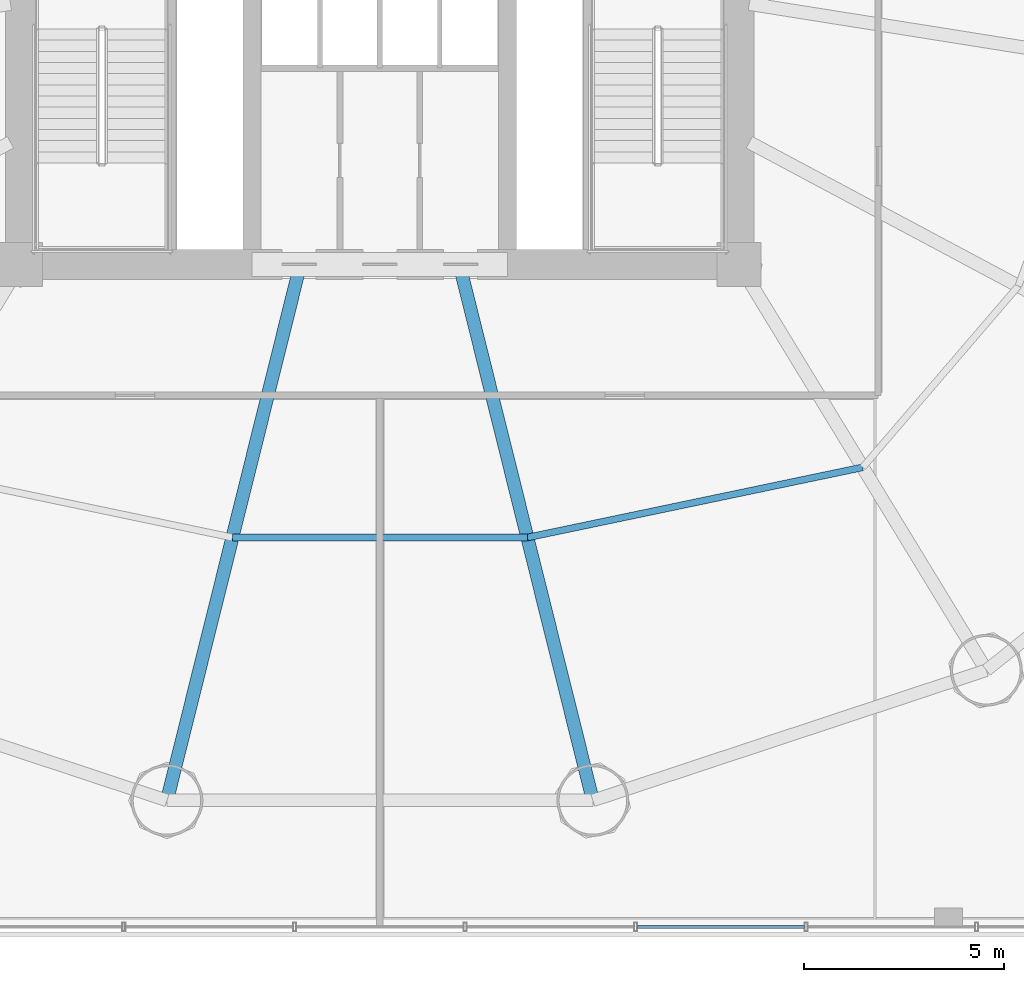
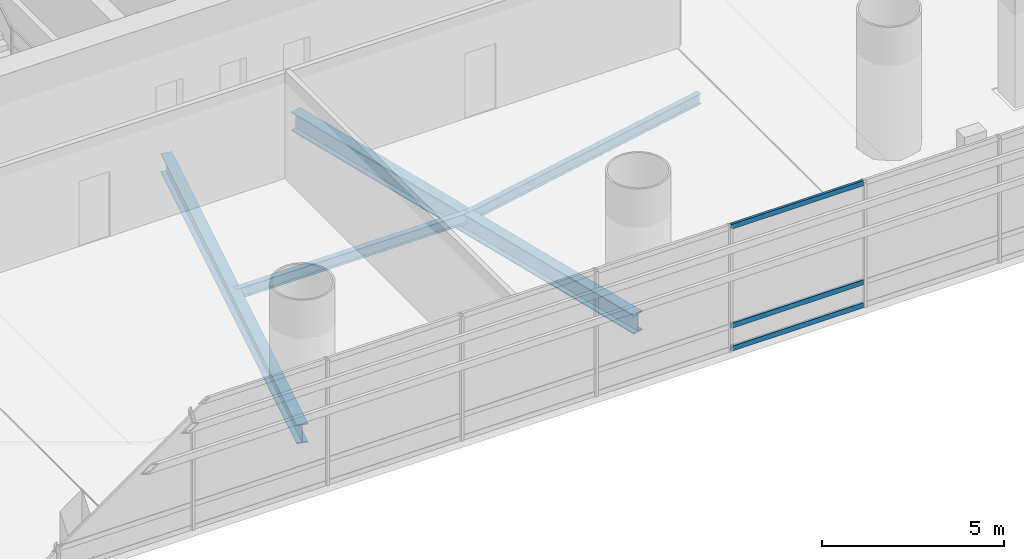
# One storey, part 7 of 36: 4 beams, 3 members, 1 element without a shape of its own.
"""IFC4 building model written with IfcOpenShell, lengths in metres."""

import ifcopenshell
import ifcopenshell.guid

model = None  # the IFC model being written
_history = None  # IfcOwnerHistory: only IFC2X3 demands one
_inside = {}  # id of a spatial element -> (the spatial element, [elements in it])
_under = {}  # id of a project, library or spatial element -> (it, [spatial elements below it])
_declared = {}  # id of a project -> (the project, [libraries it declares])
_typed = {}  # id of a type object -> (the type object, [elements of that type])
_made_of = {}  # id of a material, layer set ... -> (it, [elements and type objects made of it])


def new_model(schema):
    """Start an empty IFC model of exactly this schema.

    Asked for "IFC4X3", IfcOpenShell would pick the latest addendum, in which some entities
    have other attributes; the version numbers below select the first issue.
    IFC2X3 requires an IfcOwnerHistory on every rooted entity: one is made here for all.
    """
    global model, _history
    if schema == "IFC4X3":
        model = ifcopenshell.file(schema_version=(4, 3, 0, 0))
    else:
        model = ifcopenshell.file(schema=schema)
    _inside.clear()
    _under.clear()
    _declared.clear()
    _typed.clear()
    _made_of.clear()
    _history = None
    if model.schema == "IFC2X3":
        org = make("IfcOrganization", Name="unknown")
        user = make(
            "IfcPersonAndOrganization",
            ThePerson=make("IfcPerson", FamilyName="unknown"),
            TheOrganization=org,
        )
        app = make(
            "IfcApplication",
            ApplicationDeveloper=org,
            Version="unknown",
            ApplicationFullName="unknown",
            ApplicationIdentifier="unknown",
        )
        _history = make(
            "IfcOwnerHistory",
            OwningUser=user,
            OwningApplication=app,
            ChangeAction="ADDED",
            CreationDate=0,
        )
    return model


def make(cls, **values):
    """One entity of the class cls with the attributes given. An attribute that is None is left unset."""
    return model.create_entity(
        cls, **{name: value for name, value in values.items() if value is not None}
    )


def rooted(cls, **values):
    """An entity with a GlobalId (a new one), such as an element, a storey or a relation."""
    return make(cls, GlobalId=ifcopenshell.guid.new(), OwnerHistory=_history, **values)


def si_unit(unit_type, name, prefix=None):
    """IfcSIUnit, for example si_unit("LENGTHUNIT", "METRE", prefix="MILLI")."""
    return make("IfcSIUnit", UnitType=unit_type, Prefix=prefix, Name=name)


def assignment(units):
    """IfcUnitAssignment: the units of a project."""
    return None if units is None else make("IfcUnitAssignment", Units=units)


def point(xyz):
    """IfcCartesianPoint."""
    return None if xyz is None else make("IfcCartesianPoint", Coordinates=xyz)


def direction(xyz):
    """IfcDirection."""
    return None if xyz is None else make("IfcDirection", DirectionRatios=xyz)


def frame(location, z_axis=None, x_axis=None):
    """IfcAxis2Placement3D, a coordinate frame: its origin and axes. An axis left out is left unset."""
    return make(
        "IfcAxis2Placement3D",
        Location=point(location),
        Axis=direction(z_axis),
        RefDirection=direction(x_axis),
    )


def frame_2d(location, x_axis=None):
    """IfcAxis2Placement2D, a coordinate frame in the plane: its origin and x axis."""
    return make(
        "IfcAxis2Placement2D", Location=point(location), RefDirection=direction(x_axis)
    )


def origin():
    """The frame at (0, 0, 0) with its axes left unset."""
    return frame((0.0, 0.0, 0.0))


def origin_2d():
    """The frame at (0, 0) in the plane with its x axis left unset."""
    return frame_2d((0.0, 0.0))


def place(relative_to, where):
    """IfcLocalPlacement: puts the frame where relative to a parent placement (None: the world)."""
    return make(
        "IfcLocalPlacement", PlacementRelTo=relative_to, RelativePlacement=where
    )


def context(
    kind, dimensions, precision=None, world=None, true_north=None, identifier=None
):
    """IfcGeometricRepresentationContext, for example the 3D "Model" context."""
    return make(
        "IfcGeometricRepresentationContext",
        ContextIdentifier=identifier,
        ContextType=kind,
        CoordinateSpaceDimension=dimensions,
        Precision=precision,
        WorldCoordinateSystem=world,
        TrueNorth=true_north,
    )


def subcontext(parent, identifier, kind, view, scale=None):
    """IfcGeometricRepresentationSubContext, for example "Body" below "Model"."""
    return make(
        "IfcGeometricRepresentationSubContext",
        ContextIdentifier=identifier,
        ContextType=kind,
        ParentContext=parent,
        TargetScale=scale,
        TargetView=view,
    )


def project(units=None, contexts=None):
    """IfcProject with its units and contexts."""
    return rooted(
        "IfcProject",
        Name="project",
        RepresentationContexts=contexts,
        UnitsInContext=assignment(units),
    )


def spatial(cls, under=None, at=None, **own):
    """A site, building, storey or space (cls), placed at a placement, below another one or the project."""
    s = rooted(cls, ObjectPlacement=at, **own)
    if under is not None:
        _under.setdefault(under.id(), (under, []))[1].append(s)
    return s


def profile(cls, at=None, kind="AREA", **sizes):
    """A parametric profile (cls). Its sizes go by their IFC names, for example OverallWidth=200.0."""
    return make(cls, ProfileType=kind, Position=at, **sizes)


def hollow_rectangle(**sizes):
    """IfcRectangleHollowProfileDef."""
    return profile("IfcRectangleHollowProfileDef", **sizes)


def i_section(**sizes):
    """IfcIShapeProfileDef."""
    return profile("IfcIShapeProfileDef", **sizes)


def extrude(swept, where, along, depth):
    """IfcExtrudedAreaSolid: the profile swept, set in the frame where, extruded along a direction by depth."""
    return make(
        "IfcExtrudedAreaSolid",
        SweptArea=swept,
        Position=where,
        ExtrudedDirection=direction(along),
        Depth=depth,
    )


def shape(context_of_items, identifier, shape_type, items):
    """IfcShapeRepresentation: the items that make up one representation, for example the "Body"."""
    return make(
        "IfcShapeRepresentation",
        ContextOfItems=context_of_items,
        RepresentationIdentifier=identifier,
        RepresentationType=shape_type,
        Items=items,
    )


def source(mapping_origin, context_of_items, identifier, shape_type, items):
    """IfcRepresentationMap: a shape defined once, which mapped items show again and again."""
    return make(
        "IfcRepresentationMap",
        MappingOrigin=mapping_origin,
        MappedRepresentation=shape(context_of_items, identifier, shape_type, items),
    )


def transform(
    local_origin,
    x_axis=None,
    y_axis=None,
    z_axis=None,
    scale=None,
    scale2=None,
    scale3=None,
    uniform=True,
):
    """IfcCartesianTransformationOperator3D, or its non-uniform kind. x_axis, y_axis, z_axis: its Axis1, 2, 3."""
    if uniform:
        return make(
            "IfcCartesianTransformationOperator3D",
            Axis1=direction(x_axis),
            Axis2=direction(y_axis),
            LocalOrigin=point(local_origin),
            Scale=scale,
            Axis3=direction(z_axis),
        )
    return make(
        "IfcCartesianTransformationOperator3DnonUniform",
        Axis1=direction(x_axis),
        Axis2=direction(y_axis),
        LocalOrigin=point(local_origin),
        Scale=scale,
        Axis3=direction(z_axis),
        Scale2=scale2,
        Scale3=scale3,
    )


def mapped(mapping_source, mapping_target):
    """IfcMappedItem: shows the shape of a source again, moved by a transform."""
    return make(
        "IfcMappedItem", MappingSource=mapping_source, MappingTarget=mapping_target
    )


def material(Name=None, Category=None):
    """IfcMaterial."""
    return make("IfcMaterial", Name=Name, Category=Category)


def material_profile(
    of_material, cross_section, Name=None, Category=None, Priority=None
):
    """IfcMaterialProfile: a cross section and its material."""
    return make(
        "IfcMaterialProfile",
        Name=Name,
        Material=of_material,
        Profile=cross_section,
        Priority=Priority,
        Category=Category,
    )


def profile_set(profiles, Name=None, composite=None):
    """IfcMaterialProfileSet."""
    return make(
        "IfcMaterialProfileSet",
        Name=Name,
        MaterialProfiles=profiles,
        CompositeProfile=composite,
    )


def made_of(thing, what):
    """Note that an element or type object is made of a material, layer set ...; save() writes the relation."""
    if what is not None:
        _made_of.setdefault(what.id(), (what, []))[1].append(thing)
    return thing


def type_object(cls, material=None, **own):
    """A type object (cls), such as IfcWallType, which elements share."""
    return made_of(rooted(cls, **own), material)


def element(
    cls,
    number,
    at=None,
    inside=None,
    cuts=None,
    type_object=None,
    material=None,
    context=None,
    identifier="Body",
    shape_type=None,
    held_by="IfcProductDefinitionShape",
    body=None,
    shapes=None,
    **own,
):
    """One element of the class cls, such as IfcWall. Its Tag is "e" and its number.

    at: its placement. inside: the storey or other place that contains it. cuts: it is an
    opening in that element (IfcRelVoidsElement). A single representation is given by context,
    identifier, shape_type and body (its items); several are given by shapes. held_by: the class
    of the entity that holds the representations. save() writes the other relations.
    """
    e = rooted(cls, Tag="e%d" % number, ObjectPlacement=at, **own)
    if body is not None:
        shapes = [shape(context, identifier, shape_type, body)]
    if shapes is not None:
        e.Representation = make(held_by, Representations=shapes)
    if inside is not None:
        _inside.setdefault(inside.id(), (inside, []))[1].append(e)
    if cuts is not None:
        rooted(
            "IfcRelVoidsElement", RelatingBuildingElement=cuts, RelatedOpeningElement=e
        )
    if type_object is not None:
        _typed.setdefault(type_object.id(), (type_object, []))[1].append(e)
    return made_of(e, material)


def aggregate(whole, parts):
    """IfcRelAggregates: a whole, such as a stair, and the parts it consists of."""
    return rooted("IfcRelAggregates", RelatingObject=whole, RelatedObjects=parts)


def save(model, path):
    """Write the relations noted so far, then the file.

    IfcRelAggregates (storeys below a building ...), IfcRelContainedInSpatialStructure (elements
    in a storey), IfcRelDefinesByType, IfcRelAssociatesMaterial and IfcRelDeclares: one each for
    every whole, place, type object, material and project.
    """
    for whole, parts in _under.values():
        aggregate(whole, parts)
    for where, things in _inside.values():
        rooted(
            "IfcRelContainedInSpatialStructure",
            RelatedElements=things,
            RelatingStructure=where,
        )
    for kind, things in _typed.values():
        rooted("IfcRelDefinesByType", RelatedObjects=things, RelatingType=kind)
    for what, things in _made_of.values():
        rooted("IfcRelAssociatesMaterial", RelatedObjects=things, RelatingMaterial=what)
    for by, libraries in _declared.values():
        rooted("IfcRelDeclares", RelatingContext=by, RelatedDefinitions=libraries)
    model.write(path)


model = new_model("IFC4")

# Units and contexts
model_context = context("Model", 3, precision=1e-05, world=origin(), true_north=direction((-0.2419218956, 0.970295726276)))
body_context = subcontext(model_context, "Body", "Model", "MODEL_VIEW")
ifc_project = project(units=[si_unit("LENGTHUNIT", "METRE"), si_unit("AREAUNIT", "SQUARE_METRE"), si_unit("VOLUMEUNIT", "CUBIC_METRE"), si_unit("PLANEANGLEUNIT", "RADIAN"), si_unit("MASSUNIT", "GRAM", prefix="KILO")], contexts=[model_context])

# Site, building, storey
site_placement = place(None, origin())
site = spatial("IfcSite", under=ifc_project, at=site_placement, CompositionType="ELEMENT")
building_placement = place(site_placement, origin())
building = spatial("IfcBuilding", under=site, at=building_placement, Name="Cobrevalo Terracotta Tower", CompositionType="ELEMENT")
storey_placement = place(building_placement, frame((0.0, 0.0, 9.89990234375)))
storey = spatial("IfcBuildingStorey", under=building, at=storey_placement, Name="L02", CompositionType="ELEMENT", Elevation=9.89990234375)

# Beams
ifc_material_1 = material(Name="Steel S355", Category="steel")
ifc_material_profile_1 = material_profile(ifc_material_1, i_section(OverallWidth=0.3291015625, OverallDepth=0.635009765625, WebThickness=0.017822265625, FlangeThickness=0.031005859375, at=origin_2d()), Name="W 610x241")
ifc_profile_set_1 = profile_set([ifc_material_profile_1], Name="Steel S355")
beam_type_1 = type_object("IfcBeamType", Name="Structural Beam W 610x241 (Steel S355)", PredefinedType="BEAM", material=ifc_profile_set_1)
for number, where, z_axis, x_axis, name in (
    (1, (32.664306640625, 5.369873046875, -0.617431640625), (0.241600470374, 0.970375810042, 0.0), (-0.970375810042, 0.241600470374, 0.0), "L02 radial floor girder 12"),
    (2, (43.335693359375, 5.369873046875, -0.617431640625), (-0.241600470374, 0.970375810042, 0.0), (-0.970375810042, -0.241600470374, 0.0), "L02 radial floor girder 13"),
):
    element("IfcBeam", number, at=place(storey_placement, frame(where, z_axis=z_axis, x_axis=x_axis)), inside=storey, type_object=beam_type_1, Name=name, PredefinedType="BEAM", context=body_context, shape_type="SweptSolid", body=[
        extrude(i_section(OverallWidth=0.3291015625, OverallDepth=0.635009765625, WebThickness=0.017822265625, FlangeThickness=0.031005859375, at=origin_2d()), origin(), (0.0, 0.0, 1.0), 13.5771484375),
    ])
ifc_material_profile_2 = material_profile(ifc_material_1, i_section(OverallWidth=0.1708984375, OverallDepth=0.35498046875, WebThickness=0.007080078125, FlangeThickness=0.01171875, at=origin_2d()), Name="W 360x51")
ifc_profile_set_2 = profile_set([ifc_material_profile_2], Name="Steel S355")
beam_type_2 = type_object("IfcBeamType", Name="Structural Joist W 360x51 (Steel S355)", PredefinedType="JOIST", material=ifc_profile_set_2)
beam_1_placement = place(storey_placement, frame((34.304443359375, 11.95751953125, -0.477294921875), z_axis=(1.0, 0.0, 0.0), x_axis=(0.0, 1.0, 0.0)))
element("IfcBeam", 3, at=beam_1_placement, inside=storey, type_object=beam_type_2, Name="L02 circumferential secondary floor joist 12", PredefinedType="JOIST", context=body_context, shape_type="SweptSolid", body=[
    extrude(i_section(OverallWidth=0.1708984375, OverallDepth=0.35498046875, WebThickness=0.007080078125, FlangeThickness=0.01171875, at=origin_2d()), origin(), (0.0, 0.0, 1.0), 7.39111328125),
])
beam_2_placement = place(storey_placement, frame((41.695556640625, 11.95751953125, -0.477294921875), z_axis=(0.978784523904, 0.204892302848, 0.0), x_axis=(-0.204892302848, 0.978784523904, 0.0)))
element("IfcBeam", 4, at=beam_2_placement, inside=storey, type_object=beam_type_2, Name="L02 circumferential secondary floor joist 13", PredefinedType="JOIST", context=body_context, shape_type="SweptSolid", body=[
    extrude(i_section(OverallWidth=0.1708984375, OverallDepth=0.35498046875, WebThickness=0.007080078125, FlangeThickness=0.01171875, at=origin_2d()), origin(), (0.0, 0.0, 1.0), 8.583984375),
])

# Curtain wall, members
ifc_material_2 = material(Name="Anodized aluminium", Category="aluminium")
curtain_wall_type = type_object("IfcCurtainWallType", Name="Podium gallery & conservatory curtain wall CW-S2", PredefinedType="NOTDEFINED", material=ifc_material_2)
curtain_wall_placement = place(storey_placement, origin())
curtain_wall = element("IfcCurtainWall", 5, at=curtain_wall_placement, inside=storey, type_object=curtain_wall_type, Name="L02 curtain wall CW-POD-L02-S", PredefinedType="NOTDEFINED")
ifc_material_profile_3 = material_profile(ifc_material_2, hollow_rectangle(XDim=0.080078125, YDim=0.1650390625, WallThickness=0.00439453125, at=origin_2d()), Name="CWT 80x165")
ifc_profile_set_3 = profile_set([ifc_material_profile_3], Name="Anodized aluminium")
member_type = type_object("IfcMemberType", Name="Storefront & atrium aluminium transom 80x165", PredefinedType="USERDEFINED", material=ifc_profile_set_3)
shared_shape = source(origin(), body_context, "Body", "SweptSolid", [
    extrude(hollow_rectangle(XDim=0.080078125, YDim=0.1650390625, WallThickness=0.00439453125, at=origin_2d()), origin(), (0.0, 0.0, 1.0), 4.193359375),
])
member_1_placement = place(storey_placement, frame((44.449951171875, 2.199951171875, 0.050048828125), z_axis=(1.0, 0.0, 0.0), x_axis=(0.0, 1.0, 0.0)))
member_1 = element("IfcMember", 6, at=member_1_placement, type_object=member_type, Name="CW-POD-L02-S transom B10-T1", ObjectType="TRANSOM", PredefinedType="USERDEFINED", context=body_context, shape_type="MappedRepresentation", body=[
    mapped(shared_shape, transform((0.0, 0.0, 0.0), scale=1.0)),
])
member_2_placement = place(storey_placement, frame((44.449951171875, 2.199951171875, 0.820068359375), z_axis=(1.0, 0.0, 0.0), x_axis=(0.0, 1.0, 0.0)))
member_2 = element("IfcMember", 7, at=member_2_placement, type_object=member_type, Name="CW-POD-L02-S transom B10-T2", ObjectType="TRANSOM", PredefinedType="USERDEFINED", context=body_context, shape_type="MappedRepresentation", body=[
    mapped(shared_shape, transform((0.0, 0.0, 0.0), scale=1.0)),
])
member_3_placement = place(storey_placement, frame((44.449951171875, 2.199951171875, 4.150146484375), z_axis=(1.0, 0.0, 0.0), x_axis=(0.0, 1.0, 0.0)))
member_3 = element("IfcMember", 8, at=member_3_placement, type_object=member_type, Name="CW-POD-L02-S transom B10-T3", ObjectType="TRANSOM", PredefinedType="USERDEFINED", context=body_context, shape_type="MappedRepresentation", body=[
    mapped(shared_shape, transform((0.0, 0.0, 0.0), scale=1.0)),
])
aggregate(curtain_wall, [member_1, member_2, member_3])

save(model, "model.ifc")
